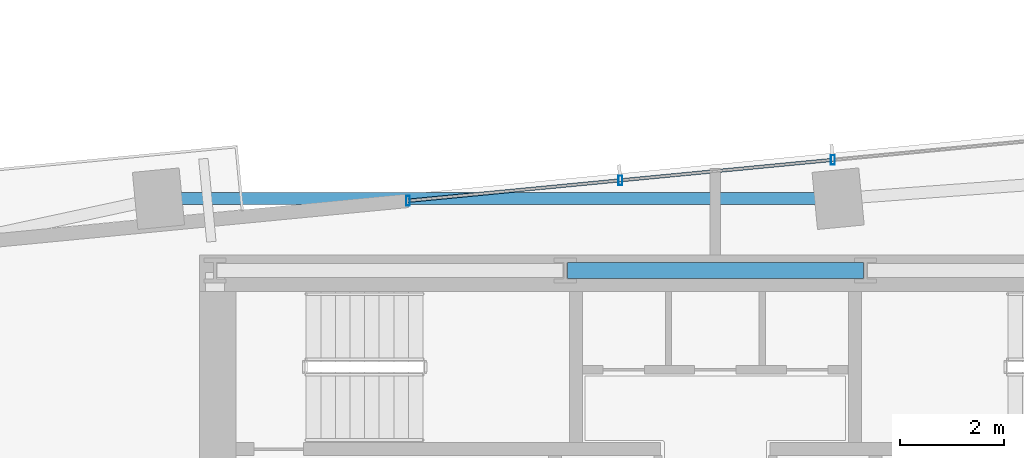
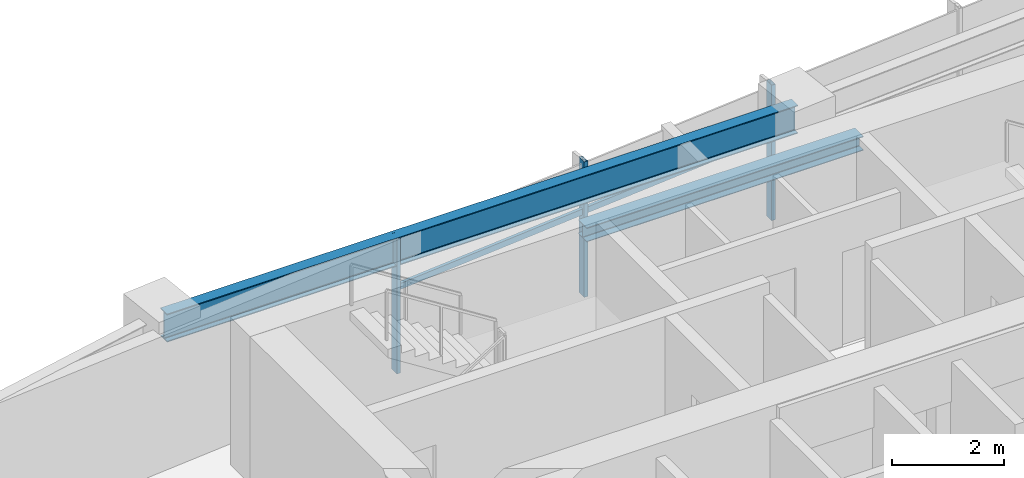
# One storey, part 10 of 27: 5 members, 2 beams, 1 element without a shape of its own.
"""IFC4 building model written with IfcOpenShell, lengths in metres."""

import ifcopenshell
import ifcopenshell.guid

model = None  # the IFC model being written
_history = None  # IfcOwnerHistory: only IFC2X3 demands one
_inside = {}  # id of a spatial element -> (the spatial element, [elements in it])
_under = {}  # id of a project, library or spatial element -> (it, [spatial elements below it])
_declared = {}  # id of a project -> (the project, [libraries it declares])
_typed = {}  # id of a type object -> (the type object, [elements of that type])
_made_of = {}  # id of a material, layer set ... -> (it, [elements and type objects made of it])


def new_model(schema):
    """Start an empty IFC model of exactly this schema.

    Asked for "IFC4X3", IfcOpenShell would pick the latest addendum, in which some entities
    have other attributes; the version numbers below select the first issue.
    IFC2X3 requires an IfcOwnerHistory on every rooted entity: one is made here for all.
    """
    global model, _history
    if schema == "IFC4X3":
        model = ifcopenshell.file(schema_version=(4, 3, 0, 0))
    else:
        model = ifcopenshell.file(schema=schema)
    _inside.clear()
    _under.clear()
    _declared.clear()
    _typed.clear()
    _made_of.clear()
    _history = None
    if model.schema == "IFC2X3":
        org = make("IfcOrganization", Name="unknown")
        user = make(
            "IfcPersonAndOrganization",
            ThePerson=make("IfcPerson", FamilyName="unknown"),
            TheOrganization=org,
        )
        app = make(
            "IfcApplication",
            ApplicationDeveloper=org,
            Version="unknown",
            ApplicationFullName="unknown",
            ApplicationIdentifier="unknown",
        )
        _history = make(
            "IfcOwnerHistory",
            OwningUser=user,
            OwningApplication=app,
            ChangeAction="ADDED",
            CreationDate=0,
        )
    return model


def make(cls, **values):
    """One entity of the class cls with the attributes given. An attribute that is None is left unset."""
    return model.create_entity(
        cls, **{name: value for name, value in values.items() if value is not None}
    )


def rooted(cls, **values):
    """An entity with a GlobalId (a new one), such as an element, a storey or a relation."""
    return make(cls, GlobalId=ifcopenshell.guid.new(), OwnerHistory=_history, **values)


def si_unit(unit_type, name, prefix=None):
    """IfcSIUnit, for example si_unit("LENGTHUNIT", "METRE", prefix="MILLI")."""
    return make("IfcSIUnit", UnitType=unit_type, Prefix=prefix, Name=name)


def assignment(units):
    """IfcUnitAssignment: the units of a project."""
    return None if units is None else make("IfcUnitAssignment", Units=units)


def point(xyz):
    """IfcCartesianPoint."""
    return None if xyz is None else make("IfcCartesianPoint", Coordinates=xyz)


def direction(xyz):
    """IfcDirection."""
    return None if xyz is None else make("IfcDirection", DirectionRatios=xyz)


def frame(location, z_axis=None, x_axis=None):
    """IfcAxis2Placement3D, a coordinate frame: its origin and axes. An axis left out is left unset."""
    return make(
        "IfcAxis2Placement3D",
        Location=point(location),
        Axis=direction(z_axis),
        RefDirection=direction(x_axis),
    )


def frame_2d(location, x_axis=None):
    """IfcAxis2Placement2D, a coordinate frame in the plane: its origin and x axis."""
    return make(
        "IfcAxis2Placement2D", Location=point(location), RefDirection=direction(x_axis)
    )


def origin():
    """The frame at (0, 0, 0) with its axes left unset."""
    return frame((0.0, 0.0, 0.0))


def origin_2d():
    """The frame at (0, 0) in the plane with its x axis left unset."""
    return frame_2d((0.0, 0.0))


def place(relative_to, where):
    """IfcLocalPlacement: puts the frame where relative to a parent placement (None: the world)."""
    return make(
        "IfcLocalPlacement", PlacementRelTo=relative_to, RelativePlacement=where
    )


def context(
    kind, dimensions, precision=None, world=None, true_north=None, identifier=None
):
    """IfcGeometricRepresentationContext, for example the 3D "Model" context."""
    return make(
        "IfcGeometricRepresentationContext",
        ContextIdentifier=identifier,
        ContextType=kind,
        CoordinateSpaceDimension=dimensions,
        Precision=precision,
        WorldCoordinateSystem=world,
        TrueNorth=true_north,
    )


def subcontext(parent, identifier, kind, view, scale=None):
    """IfcGeometricRepresentationSubContext, for example "Body" below "Model"."""
    return make(
        "IfcGeometricRepresentationSubContext",
        ContextIdentifier=identifier,
        ContextType=kind,
        ParentContext=parent,
        TargetScale=scale,
        TargetView=view,
    )


def project(units=None, contexts=None):
    """IfcProject with its units and contexts."""
    return rooted(
        "IfcProject",
        Name="project",
        RepresentationContexts=contexts,
        UnitsInContext=assignment(units),
    )


def spatial(cls, under=None, at=None, **own):
    """A site, building, storey or space (cls), placed at a placement, below another one or the project."""
    s = rooted(cls, ObjectPlacement=at, **own)
    if under is not None:
        _under.setdefault(under.id(), (under, []))[1].append(s)
    return s


def profile(cls, at=None, kind="AREA", **sizes):
    """A parametric profile (cls). Its sizes go by their IFC names, for example OverallWidth=200.0."""
    return make(cls, ProfileType=kind, Position=at, **sizes)


def hollow_rectangle(**sizes):
    """IfcRectangleHollowProfileDef."""
    return profile("IfcRectangleHollowProfileDef", **sizes)


def i_section(**sizes):
    """IfcIShapeProfileDef."""
    return profile("IfcIShapeProfileDef", **sizes)


def extrude(swept, where, along, depth):
    """IfcExtrudedAreaSolid: the profile swept, set in the frame where, extruded along a direction by depth."""
    return make(
        "IfcExtrudedAreaSolid",
        SweptArea=swept,
        Position=where,
        ExtrudedDirection=direction(along),
        Depth=depth,
    )


def shape(context_of_items, identifier, shape_type, items):
    """IfcShapeRepresentation: the items that make up one representation, for example the "Body"."""
    return make(
        "IfcShapeRepresentation",
        ContextOfItems=context_of_items,
        RepresentationIdentifier=identifier,
        RepresentationType=shape_type,
        Items=items,
    )


def source(mapping_origin, context_of_items, identifier, shape_type, items):
    """IfcRepresentationMap: a shape defined once, which mapped items show again and again."""
    return make(
        "IfcRepresentationMap",
        MappingOrigin=mapping_origin,
        MappedRepresentation=shape(context_of_items, identifier, shape_type, items),
    )


def transform(
    local_origin,
    x_axis=None,
    y_axis=None,
    z_axis=None,
    scale=None,
    scale2=None,
    scale3=None,
    uniform=True,
):
    """IfcCartesianTransformationOperator3D, or its non-uniform kind. x_axis, y_axis, z_axis: its Axis1, 2, 3."""
    if uniform:
        return make(
            "IfcCartesianTransformationOperator3D",
            Axis1=direction(x_axis),
            Axis2=direction(y_axis),
            LocalOrigin=point(local_origin),
            Scale=scale,
            Axis3=direction(z_axis),
        )
    return make(
        "IfcCartesianTransformationOperator3DnonUniform",
        Axis1=direction(x_axis),
        Axis2=direction(y_axis),
        LocalOrigin=point(local_origin),
        Scale=scale,
        Axis3=direction(z_axis),
        Scale2=scale2,
        Scale3=scale3,
    )


def mapped(mapping_source, mapping_target):
    """IfcMappedItem: shows the shape of a source again, moved by a transform."""
    return make(
        "IfcMappedItem", MappingSource=mapping_source, MappingTarget=mapping_target
    )


def material(Name=None, Category=None):
    """IfcMaterial."""
    return make("IfcMaterial", Name=Name, Category=Category)


def material_profile(
    of_material, cross_section, Name=None, Category=None, Priority=None
):
    """IfcMaterialProfile: a cross section and its material."""
    return make(
        "IfcMaterialProfile",
        Name=Name,
        Material=of_material,
        Profile=cross_section,
        Priority=Priority,
        Category=Category,
    )


def profile_set(profiles, Name=None, composite=None):
    """IfcMaterialProfileSet."""
    return make(
        "IfcMaterialProfileSet",
        Name=Name,
        MaterialProfiles=profiles,
        CompositeProfile=composite,
    )


def made_of(thing, what):
    """Note that an element or type object is made of a material, layer set ...; save() writes the relation."""
    if what is not None:
        _made_of.setdefault(what.id(), (what, []))[1].append(thing)
    return thing


def type_object(cls, material=None, **own):
    """A type object (cls), such as IfcWallType, which elements share."""
    return made_of(rooted(cls, **own), material)


def type_shapes(of_type, sources):
    """Give a type object the sources (RepresentationMaps) that its elements show as mapped items."""
    of_type.RepresentationMaps = sources


def element(
    cls,
    number,
    at=None,
    inside=None,
    cuts=None,
    type_object=None,
    material=None,
    context=None,
    identifier="Body",
    shape_type=None,
    held_by="IfcProductDefinitionShape",
    body=None,
    shapes=None,
    **own,
):
    """One element of the class cls, such as IfcWall. Its Tag is "e" and its number.

    at: its placement. inside: the storey or other place that contains it. cuts: it is an
    opening in that element (IfcRelVoidsElement). A single representation is given by context,
    identifier, shape_type and body (its items); several are given by shapes. held_by: the class
    of the entity that holds the representations. save() writes the other relations.
    """
    e = rooted(cls, Tag="e%d" % number, ObjectPlacement=at, **own)
    if body is not None:
        shapes = [shape(context, identifier, shape_type, body)]
    if shapes is not None:
        e.Representation = make(held_by, Representations=shapes)
    if inside is not None:
        _inside.setdefault(inside.id(), (inside, []))[1].append(e)
    if cuts is not None:
        rooted(
            "IfcRelVoidsElement", RelatingBuildingElement=cuts, RelatedOpeningElement=e
        )
    if type_object is not None:
        _typed.setdefault(type_object.id(), (type_object, []))[1].append(e)
    return made_of(e, material)


def aggregate(whole, parts):
    """IfcRelAggregates: a whole, such as a stair, and the parts it consists of."""
    return rooted("IfcRelAggregates", RelatingObject=whole, RelatedObjects=parts)


def save(model, path):
    """Write the relations noted so far, then the file.

    IfcRelAggregates (storeys below a building ...), IfcRelContainedInSpatialStructure (elements
    in a storey), IfcRelDefinesByType, IfcRelAssociatesMaterial and IfcRelDeclares: one each for
    every whole, place, type object, material and project.
    """
    for whole, parts in _under.values():
        aggregate(whole, parts)
    for where, things in _inside.values():
        rooted(
            "IfcRelContainedInSpatialStructure",
            RelatedElements=things,
            RelatingStructure=where,
        )
    for kind, things in _typed.values():
        rooted("IfcRelDefinesByType", RelatedObjects=things, RelatingType=kind)
    for what, things in _made_of.values():
        rooted("IfcRelAssociatesMaterial", RelatedObjects=things, RelatingMaterial=what)
    for by, libraries in _declared.values():
        rooted("IfcRelDeclares", RelatingContext=by, RelatedDefinitions=libraries)
    model.write(path)


model = new_model("IFC4")

# Units and contexts
model_context = context("Model", 3, precision=1e-05, world=origin(), true_north=direction((0.0, 1.0)))
body_context = subcontext(model_context, "Body", "Model", "MODEL_VIEW")
ifc_project = project(units=[si_unit("LENGTHUNIT", "METRE"), si_unit("AREAUNIT", "SQUARE_METRE"), si_unit("VOLUMEUNIT", "CUBIC_METRE"), si_unit("PLANEANGLEUNIT", "RADIAN"), si_unit("MASSUNIT", "GRAM", prefix="KILO")], contexts=[model_context])

# Site, building, storey
site_placement = place(None, origin())
site = spatial("IfcSite", under=ifc_project, at=site_placement, CompositionType="ELEMENT")
building_placement = place(site_placement, origin())
building = spatial("IfcBuilding", under=site, at=building_placement, Name="Astriad Promenade Condominiums", CompositionType="ELEMENT")
storey_placement = place(building_placement, frame((0.0, 0.0, 84.199951171875)))
storey = spatial("IfcBuildingStorey", under=building, at=storey_placement, Name="L23", CompositionType="ELEMENT", Elevation=84.199951171875)

# Beams
ifc_material_1 = material(Name="Steel ASTM A992 Grade 50", Category="steel")
ifc_material_profile_1 = material_profile(ifc_material_1, i_section(OverallWidth=0.3046875, OverallDepth=0.307861328125, WebThickness=0.010009765625, FlangeThickness=0.015380859375, FilletRadius=0.01513671875, at=origin_2d()), Name="W12X65")
ifc_profile_set_1 = profile_set([ifc_material_profile_1], Name="Steel ASTM A992 Grade 50")
beam_type_1 = type_object("IfcBeamType", Name="STEEL OPENING LINTEL W12X65", PredefinedType="LINTEL", material=ifc_profile_set_1)
shared_shape_1 = source(origin(), body_context, "Body", "SweptSolid", [
    extrude(i_section(OverallWidth=0.3046875, OverallDepth=0.307861328125, WebThickness=0.010009765625, FlangeThickness=0.015380859375, FilletRadius=0.01513671875, at=origin_2d()), origin(), (0.0, 0.0, 1.0), 5.68017578125),
])
type_shapes(beam_type_1, [shared_shape_1])
beam_1_placement = place(storey_placement, frame((33.159912109375, 24.0, 2.7861328125), z_axis=(1.0, 0.0, 0.0), x_axis=(0.0, 1.0, 0.0)))
element("IfcBeam", 1, at=beam_1_placement, inside=storey, type_object=beam_type_1, Name="Core Ring Beam CG-N2-L23", PredefinedType="LINTEL", context=body_context, shape_type="MappedRepresentation", body=[
    mapped(shared_shape_1, transform((0.0, 0.0, 0.0), scale=1.0)),
])
ifc_material_profile_2 = material_profile(ifc_material_1, i_section(OverallWidth=0.22900390625, OverallDepth=0.612060546875, WebThickness=0.011962890625, FlangeThickness=0.01953125, FilletRadius=0.017822265625, at=origin_2d()), Name="W24X84")
ifc_profile_set_2 = profile_set([ifc_material_profile_2], Name="Steel ASTM A992 Grade 50")
beam_type_2 = type_object("IfcBeamType", Name="STEEL SPANDREL BEAM W24X84", PredefinedType="SPANDREL", material=ifc_profile_set_2)
shared_shape_2 = source(origin(), body_context, "Body", "SweptSolid", [
    extrude(i_section(OverallWidth=0.22900390625, OverallDepth=0.612060546875, WebThickness=0.011962890625, FlangeThickness=0.01953125, FilletRadius=0.017822265625, at=origin_2d()), origin(), (0.0, 0.0, 1.0), 12.959716796875),
])
type_shapes(beam_type_2, [shared_shape_2])
beam_2_placement = place(storey_placement, frame((38.314697265625, 25.3798828125, 2.634033203125), z_axis=(-1.0, 0.0, 0.0), x_axis=(0.0, -1.0, 0.0)))
element("IfcBeam", 2, at=beam_2_placement, inside=storey, type_object=beam_type_2, Name="Perimeter Spandrel Beam SP-N2-L23", PredefinedType="SPANDREL", context=body_context, shape_type="MappedRepresentation", body=[
    mapped(shared_shape_2, transform((0.0, 0.0, 0.0), scale=1.0)),
])

# Curtain wall, members
ifc_material_2 = material(Name="Anodised aluminium Black Dark Glass Unitised", Category="aluminium")
curtain_wall_type = type_object("IfcCurtainWallType", Name="CW-B2-DARK", PredefinedType="USERDEFINED", material=ifc_material_2)
curtain_wall_placement = place(storey_placement, origin())
curtain_wall = element("IfcCurtainWall", 3, at=curtain_wall_placement, inside=storey, type_object=curtain_wall_type, Name="CW-L23-N", ObjectType="UNITISED_CURTAIN_WALL", PredefinedType="USERDEFINED")
ifc_material_3 = material(Name="Anodised aluminium 6063-T6 Black", Category="aluminium")
ifc_material_profile_3 = material_profile(ifc_material_3, hollow_rectangle(XDim=0.074951171875, YDim=0.18505859375, WallThickness=0.00439453125, at=origin_2d()), Name="ALU-MUL-75X185")
ifc_profile_set_3 = profile_set([ifc_material_profile_3], Name="Anodised aluminium 6063-T6 Black")
member_type_1 = type_object("IfcMemberType", Name="MUL-ALU-MUL-75X185", PredefinedType="MULLION", material=ifc_profile_set_3)
shared_shape_3 = source(origin(), body_context, "Body", "SweptSolid", [
    extrude(hollow_rectangle(XDim=0.074951171875, YDim=0.18505859375, WallThickness=0.00439453125, at=origin_2d()), origin(), (0.0, 0.0, 1.0), 2.93994140625),
])
type_shapes(member_type_1, [shared_shape_3])
member_1_placement = place(storey_placement, frame((30.101806640625, 25.339599609375, 0.0), z_axis=(0.0, 0.0, 1.0), x_axis=(1.0, 0.0, 0.0)))
member_1 = element("IfcMember", 4, at=member_1_placement, type_object=member_type_1, Name="CW-L23-N-MUL-00", PredefinedType="MULLION", context=body_context, shape_type="MappedRepresentation", body=[
    mapped(shared_shape_3, transform((0.0, 0.0, 0.0), scale=1.0)),
])
member_2_placement = place(storey_placement, frame((34.177734375, 25.732177734375, 0.0), z_axis=(0.0, 0.0, 1.0), x_axis=(1.0, 0.0, 0.0)))
member_2 = element("IfcMember", 5, at=member_2_placement, type_object=member_type_1, Name="CW-L23-N-MUL-01", PredefinedType="MULLION", context=body_context, shape_type="MappedRepresentation", body=[
    mapped(shared_shape_3, transform((0.0, 0.0, 0.0), scale=1.0)),
])
member_3_placement = place(storey_placement, frame((38.25390625, 26.12451171875, 0.0), z_axis=(0.0, 0.0, 1.0), x_axis=(1.0, 0.0, 0.0)))
member_3 = element("IfcMember", 6, at=member_3_placement, type_object=member_type_1, Name="CW-L23-N-MUL-02", PredefinedType="MULLION", context=body_context, shape_type="MappedRepresentation", body=[
    mapped(shared_shape_3, transform((0.0, 0.0, 0.0), scale=1.0)),
])
ifc_material_profile_4 = material_profile(ifc_material_3, hollow_rectangle(XDim=0.06494140625, YDim=0.1298828125, WallThickness=0.00390625, at=origin_2d()), Name="ALU-TRN-65X130")
ifc_profile_set_4 = profile_set([ifc_material_profile_4], Name="Anodised aluminium 6063-T6 Black")
member_type_2 = type_object("IfcMemberType", Name="TRN-ALU-TRN-65X130", PredefinedType="USERDEFINED", material=ifc_profile_set_4)
shared_shape_4 = source(origin(), body_context, "Body", "SweptSolid", [
    extrude(hollow_rectangle(XDim=0.06494140625, YDim=0.1298828125, WallThickness=0.00390625, at=origin_2d()), origin(), (0.0, 0.0, 1.0), 4.0947265625),
])
member_4_placement = place(storey_placement, frame((30.101806640625, 25.339599609375, 1.82275390625), z_axis=(0.995393613612, 0.095872592434, 0.0), x_axis=(-0.095872592434, 0.995393613612, 0.0)))
member_4 = element("IfcMember", 7, at=member_4_placement, type_object=member_type_2, Name="CW-L23-N-TRN-00-0", ObjectType="TRANSOM", PredefinedType="USERDEFINED", context=body_context, shape_type="MappedRepresentation", body=[
    mapped(shared_shape_4, transform((0.0, 0.0, 0.0), scale=1.0)),
])
shared_shape_5 = source(origin(), body_context, "Body", "SweptSolid", [
    extrude(hollow_rectangle(XDim=0.06494140625, YDim=0.1298828125, WallThickness=0.00390625, at=origin_2d()), origin(), (0.0, 0.0, 1.0), 4.094970703125),
])
type_shapes(member_type_2, [shared_shape_4, shared_shape_5])
member_5_placement = place(storey_placement, frame((34.177734375, 25.732177734375, 1.82275390625), z_axis=(0.995399849002, 0.095807831657, 0.0), x_axis=(-0.095807831657, 0.995399849002, 0.0)))
member_5 = element("IfcMember", 8, at=member_5_placement, type_object=member_type_2, Name="CW-L23-N-TRN-01-0", ObjectType="TRANSOM", PredefinedType="USERDEFINED", context=body_context, shape_type="MappedRepresentation", body=[
    mapped(shared_shape_5, transform((0.0, 0.0, 0.0), scale=1.0)),
])
aggregate(curtain_wall, [member_1, member_2, member_3, member_4, member_5])

save(model, "model.ifc")
